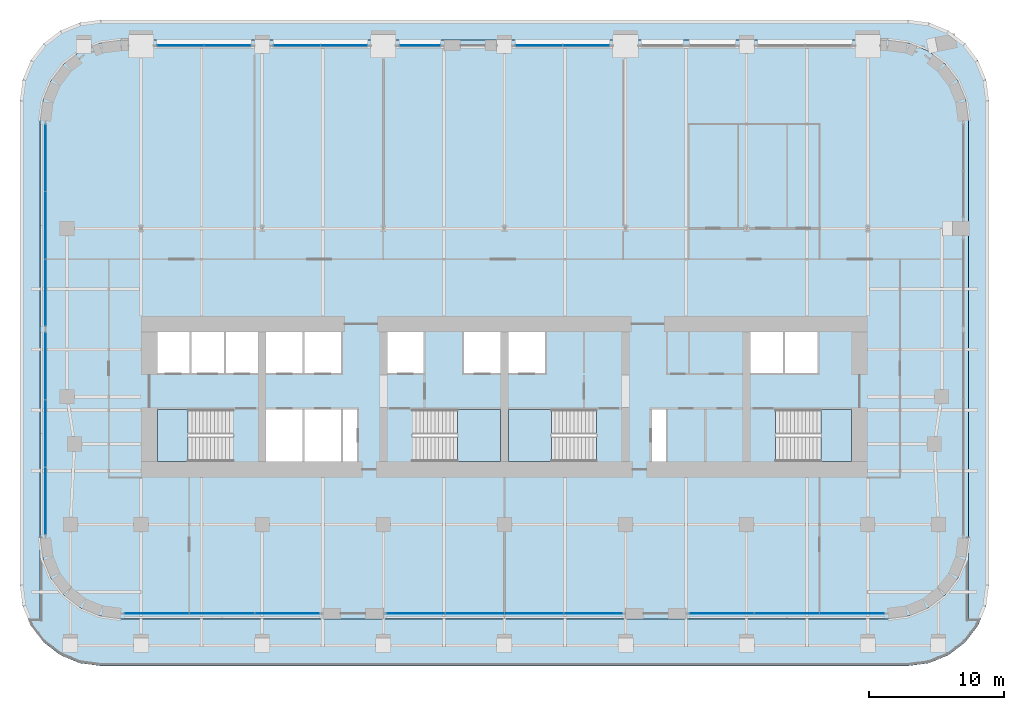
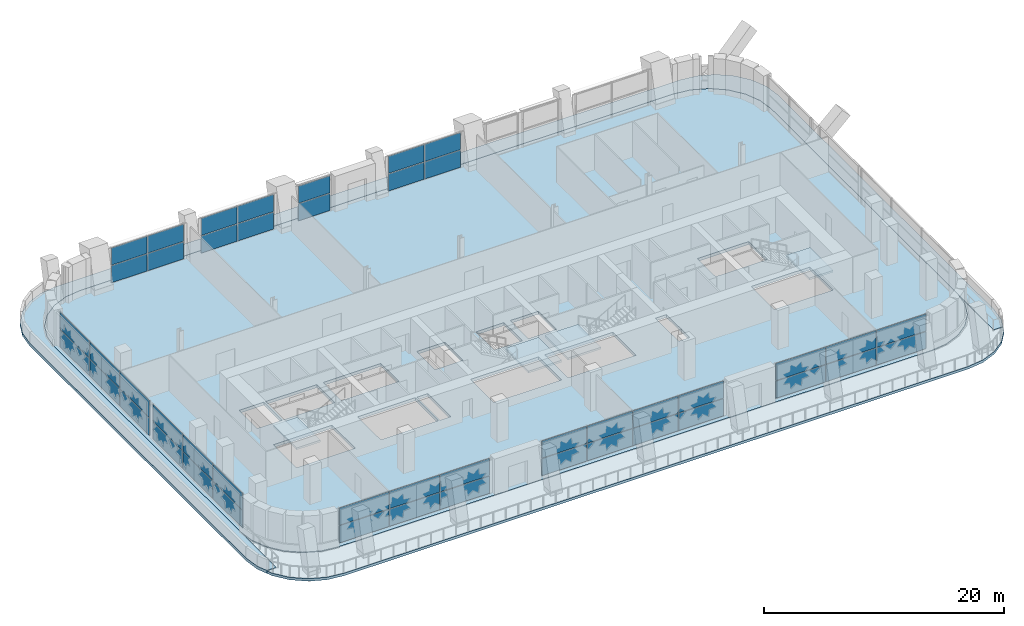
# One storey, part 13 of 26: 46 plates, 7 slabs, 13 elements without a shape of their own.
"""IFC4 building model written with IfcOpenShell, lengths in metres."""

import ifcopenshell
import ifcopenshell.guid

model = None  # the IFC model being written
_history = None  # IfcOwnerHistory: only IFC2X3 demands one
_inside = {}  # id of a spatial element -> (the spatial element, [elements in it])
_under = {}  # id of a project, library or spatial element -> (it, [spatial elements below it])
_declared = {}  # id of a project -> (the project, [libraries it declares])
_typed = {}  # id of a type object -> (the type object, [elements of that type])
_made_of = {}  # id of a material, layer set ... -> (it, [elements and type objects made of it])


def new_model(schema):
    """Start an empty IFC model of exactly this schema.

    Asked for "IFC4X3", IfcOpenShell would pick the latest addendum, in which some entities
    have other attributes; the version numbers below select the first issue.
    IFC2X3 requires an IfcOwnerHistory on every rooted entity: one is made here for all.
    """
    global model, _history
    if schema == "IFC4X3":
        model = ifcopenshell.file(schema_version=(4, 3, 0, 0))
    else:
        model = ifcopenshell.file(schema=schema)
    _inside.clear()
    _under.clear()
    _declared.clear()
    _typed.clear()
    _made_of.clear()
    _history = None
    if model.schema == "IFC2X3":
        org = make("IfcOrganization", Name="unknown")
        user = make(
            "IfcPersonAndOrganization",
            ThePerson=make("IfcPerson", FamilyName="unknown"),
            TheOrganization=org,
        )
        app = make(
            "IfcApplication",
            ApplicationDeveloper=org,
            Version="unknown",
            ApplicationFullName="unknown",
            ApplicationIdentifier="unknown",
        )
        _history = make(
            "IfcOwnerHistory",
            OwningUser=user,
            OwningApplication=app,
            ChangeAction="ADDED",
            CreationDate=0,
        )
    return model


def make(cls, **values):
    """One entity of the class cls with the attributes given. An attribute that is None is left unset."""
    return model.create_entity(
        cls, **{name: value for name, value in values.items() if value is not None}
    )


def rooted(cls, **values):
    """An entity with a GlobalId (a new one), such as an element, a storey or a relation."""
    return make(cls, GlobalId=ifcopenshell.guid.new(), OwnerHistory=_history, **values)


def si_unit(unit_type, name, prefix=None):
    """IfcSIUnit, for example si_unit("LENGTHUNIT", "METRE", prefix="MILLI")."""
    return make("IfcSIUnit", UnitType=unit_type, Prefix=prefix, Name=name)


def assignment(units):
    """IfcUnitAssignment: the units of a project."""
    return None if units is None else make("IfcUnitAssignment", Units=units)


def point(xyz):
    """IfcCartesianPoint."""
    return None if xyz is None else make("IfcCartesianPoint", Coordinates=xyz)


def direction(xyz):
    """IfcDirection."""
    return None if xyz is None else make("IfcDirection", DirectionRatios=xyz)


def frame(location, z_axis=None, x_axis=None):
    """IfcAxis2Placement3D, a coordinate frame: its origin and axes. An axis left out is left unset."""
    return make(
        "IfcAxis2Placement3D",
        Location=point(location),
        Axis=direction(z_axis),
        RefDirection=direction(x_axis),
    )


def frame_2d(location, x_axis=None):
    """IfcAxis2Placement2D, a coordinate frame in the plane: its origin and x axis."""
    return make(
        "IfcAxis2Placement2D", Location=point(location), RefDirection=direction(x_axis)
    )


def origin():
    """The frame at (0, 0, 0) with its axes left unset."""
    return frame((0.0, 0.0, 0.0))


def origin_2d():
    """The frame at (0, 0) in the plane with its x axis left unset."""
    return frame_2d((0.0, 0.0))


def place(relative_to, where):
    """IfcLocalPlacement: puts the frame where relative to a parent placement (None: the world)."""
    return make(
        "IfcLocalPlacement", PlacementRelTo=relative_to, RelativePlacement=where
    )


def context(
    kind, dimensions, precision=None, world=None, true_north=None, identifier=None
):
    """IfcGeometricRepresentationContext, for example the 3D "Model" context."""
    return make(
        "IfcGeometricRepresentationContext",
        ContextIdentifier=identifier,
        ContextType=kind,
        CoordinateSpaceDimension=dimensions,
        Precision=precision,
        WorldCoordinateSystem=world,
        TrueNorth=true_north,
    )


def subcontext(parent, identifier, kind, view, scale=None):
    """IfcGeometricRepresentationSubContext, for example "Body" below "Model"."""
    return make(
        "IfcGeometricRepresentationSubContext",
        ContextIdentifier=identifier,
        ContextType=kind,
        ParentContext=parent,
        TargetScale=scale,
        TargetView=view,
    )


def project(units=None, contexts=None):
    """IfcProject with its units and contexts."""
    return rooted(
        "IfcProject",
        Name="project",
        RepresentationContexts=contexts,
        UnitsInContext=assignment(units),
    )


def spatial(cls, under=None, at=None, **own):
    """A site, building, storey or space (cls), placed at a placement, below another one or the project."""
    s = rooted(cls, ObjectPlacement=at, **own)
    if under is not None:
        _under.setdefault(under.id(), (under, []))[1].append(s)
    return s


def polyline(points):
    """IfcPolyline through the points."""
    return make("IfcPolyline", Points=[point(p) for p in points])


def profile(cls, at=None, kind="AREA", **sizes):
    """A parametric profile (cls). Its sizes go by their IFC names, for example OverallWidth=200.0."""
    return make(cls, ProfileType=kind, Position=at, **sizes)


def rectangle(**sizes):
    """IfcRectangleProfileDef."""
    return profile("IfcRectangleProfileDef", **sizes)


def outline(outer, holes=None, kind="AREA"):
    """IfcArbitraryClosedProfileDef: a profile drawn as a closed curve; with holes, ...WithVoids."""
    if holes is None:
        return make("IfcArbitraryClosedProfileDef", ProfileType=kind, OuterCurve=outer)
    return make(
        "IfcArbitraryProfileDefWithVoids",
        ProfileType=kind,
        OuterCurve=outer,
        InnerCurves=holes,
    )


def extrude(swept, where, along, depth):
    """IfcExtrudedAreaSolid: the profile swept, set in the frame where, extruded along a direction by depth."""
    return make(
        "IfcExtrudedAreaSolid",
        SweptArea=swept,
        Position=where,
        ExtrudedDirection=direction(along),
        Depth=depth,
    )


def shape(context_of_items, identifier, shape_type, items):
    """IfcShapeRepresentation: the items that make up one representation, for example the "Body"."""
    return make(
        "IfcShapeRepresentation",
        ContextOfItems=context_of_items,
        RepresentationIdentifier=identifier,
        RepresentationType=shape_type,
        Items=items,
    )


def material(Name=None, Category=None):
    """IfcMaterial."""
    return make("IfcMaterial", Name=Name, Category=Category)


def layer(
    of_material, thickness, ventilated=None, Name=None, Category=None, Priority=None
):
    """IfcMaterialLayer: one layer of a wall or slab, of a material (None: an air gap)."""
    return make(
        "IfcMaterialLayer",
        Material=of_material,
        LayerThickness=thickness,
        IsVentilated=ventilated,
        Name=Name,
        Category=Category,
        Priority=Priority,
    )


def layer_set(layers, Name=None):
    """IfcMaterialLayerSet."""
    return make("IfcMaterialLayerSet", MaterialLayers=layers, LayerSetName=Name)


def made_of(thing, what):
    """Note that an element or type object is made of a material, layer set ...; save() writes the relation."""
    if what is not None:
        _made_of.setdefault(what.id(), (what, []))[1].append(thing)
    return thing


def type_object(cls, material=None, **own):
    """A type object (cls), such as IfcWallType, which elements share."""
    return made_of(rooted(cls, **own), material)


def element(
    cls,
    number,
    at=None,
    inside=None,
    cuts=None,
    type_object=None,
    material=None,
    context=None,
    identifier="Body",
    shape_type=None,
    held_by="IfcProductDefinitionShape",
    body=None,
    shapes=None,
    **own,
):
    """One element of the class cls, such as IfcWall. Its Tag is "e" and its number.

    at: its placement. inside: the storey or other place that contains it. cuts: it is an
    opening in that element (IfcRelVoidsElement). A single representation is given by context,
    identifier, shape_type and body (its items); several are given by shapes. held_by: the class
    of the entity that holds the representations. save() writes the other relations.
    """
    e = rooted(cls, Tag="e%d" % number, ObjectPlacement=at, **own)
    if body is not None:
        shapes = [shape(context, identifier, shape_type, body)]
    if shapes is not None:
        e.Representation = make(held_by, Representations=shapes)
    if inside is not None:
        _inside.setdefault(inside.id(), (inside, []))[1].append(e)
    if cuts is not None:
        rooted(
            "IfcRelVoidsElement", RelatingBuildingElement=cuts, RelatedOpeningElement=e
        )
    if type_object is not None:
        _typed.setdefault(type_object.id(), (type_object, []))[1].append(e)
    return made_of(e, material)


def aggregate(whole, parts):
    """IfcRelAggregates: a whole, such as a stair, and the parts it consists of."""
    return rooted("IfcRelAggregates", RelatingObject=whole, RelatedObjects=parts)


def save(model, path):
    """Write the relations noted so far, then the file.

    IfcRelAggregates (storeys below a building ...), IfcRelContainedInSpatialStructure (elements
    in a storey), IfcRelDefinesByType, IfcRelAssociatesMaterial and IfcRelDeclares: one each for
    every whole, place, type object, material and project.
    """
    for whole, parts in _under.values():
        aggregate(whole, parts)
    for where, things in _inside.values():
        rooted(
            "IfcRelContainedInSpatialStructure",
            RelatedElements=things,
            RelatingStructure=where,
        )
    for kind, things in _typed.values():
        rooted("IfcRelDefinesByType", RelatedObjects=things, RelatingType=kind)
    for what, things in _made_of.values():
        rooted("IfcRelAssociatesMaterial", RelatedObjects=things, RelatingMaterial=what)
    for by, libraries in _declared.values():
        rooted("IfcRelDeclares", RelatingContext=by, RelatedDefinitions=libraries)
    model.write(path)


model = new_model("IFC4")

# Units and contexts
model_context = context("Model", 3, precision=1e-05, world=origin(), true_north=direction((0.0, 1.0)))
body_context = subcontext(model_context, "Body", "Model", "MODEL_VIEW")
ifc_project = project(units=[si_unit("LENGTHUNIT", "METRE"), si_unit("AREAUNIT", "SQUARE_METRE"), si_unit("VOLUMEUNIT", "CUBIC_METRE"), si_unit("PLANEANGLEUNIT", "RADIAN"), si_unit("MASSUNIT", "GRAM", prefix="KILO")], contexts=[model_context])

# Site, building, storey
site_placement = place(None, origin())
site = spatial("IfcSite", under=ifc_project, at=site_placement, CompositionType="ELEMENT")
building_placement = place(site_placement, origin())
building = spatial("IfcBuilding", under=site, at=building_placement, Name="Zellij Exchange Tower", CompositionType="ELEMENT")
storey_placement = place(building_placement, frame((0.0, 0.0, 100.5)))
storey = spatial("IfcBuildingStorey", under=building, at=storey_placement, Name="L21", CompositionType="ELEMENT", Elevation=100.5)

# Stair, slab
ifc_material_1 = material(Name="Concrete C40/50", Category="concrete")
stair_type = type_object("IfcStairType", Name="CORE-ST exit stair 1850 wide", PredefinedType="HALF_TURN_STAIR", material=ifc_material_1)
stair_1_placement = place(storey_placement, origin())
stair_1 = element("IfcStair", 1, at=stair_1_placement, inside=storey, type_object=stair_type, Name="L21 exit stair ST1", PredefinedType="HALF_TURN_STAIR")
ifc_layer_1 = layer(ifc_material_1, 0.199951171875)
ifc_layer_set_1 = layer_set([ifc_layer_1], Name="Concrete C40/50")
slab_type_1 = type_object("IfcSlabType", Name="CORE-SL stair landing 200", PredefinedType="LANDING", material=ifc_layer_set_1)
slab_1_placement = place(storey_placement, frame((0.0, 0.0, 1.800048828125)))
slab_1 = element("IfcSlab", 2, at=slab_1_placement, type_object=slab_type_1, Name="ST1 landing 1", PredefinedType="LANDING", context=body_context, shape_type="SweptSolid", body=[
    extrude(outline(polyline([(-23.510009765625, -8.949951171875), (-25.800048828125, -8.949951171875), (-25.800048828125, -12.800048828125), (-23.510009765625, -12.800048828125), (-23.510009765625, -8.949951171875)])), origin(), (0.0, 0.0, 1.0), 0.199951171875),
])
aggregate(stair_1, [slab_1])

stair_2_placement = place(storey_placement, origin())
stair_2 = element("IfcStair", 3, at=stair_2_placement, inside=storey, type_object=stair_type, Name="L21 exit stair ST2", PredefinedType="HALF_TURN_STAIR")
slab_2_placement = place(storey_placement, frame((0.0, 0.0, 1.800048828125)))
slab_2 = element("IfcSlab", 4, at=slab_2_placement, type_object=slab_type_1, Name="ST2 landing 1", PredefinedType="LANDING", context=body_context, shape_type="SweptSolid", body=[
    extrude(outline(polyline([(-3.489990234375, -12.800048828125), (-0.300048828125, -12.800048828125), (-0.300048828125, -8.949951171875), (-3.489990234375, -8.949951171875), (-3.489990234375, -12.800048828125)])), origin(), (0.0, 0.0, 1.0), 0.199951171875),
])
aggregate(stair_2, [slab_2])

stair_3_placement = place(storey_placement, origin())
stair_3 = element("IfcStair", 5, at=stair_3_placement, inside=storey, type_object=stair_type, Name="L21 exit stair ST3", PredefinedType="HALF_TURN_STAIR")
slab_3_placement = place(storey_placement, frame((0.0, 0.0, 1.800048828125)))
slab_3 = element("IfcSlab", 6, at=slab_3_placement, type_object=slab_type_1, Name="ST3 landing 1", PredefinedType="LANDING", context=body_context, shape_type="SweptSolid", body=[
    extrude(outline(polyline([(3.489990234375, -8.949951171875), (0.300048828125, -8.949951171875), (0.300048828125, -12.800048828125), (3.489990234375, -12.800048828125), (3.489990234375, -8.949951171875)])), origin(), (0.0, 0.0, 1.0), 0.199951171875),
])
aggregate(stair_3, [slab_3])

stair_4_placement = place(storey_placement, origin())
stair_4 = element("IfcStair", 7, at=stair_4_placement, inside=storey, type_object=stair_type, Name="L21 exit stair ST4", PredefinedType="HALF_TURN_STAIR")
slab_4_placement = place(storey_placement, frame((0.0, 0.0, 1.800048828125)))
slab_4 = element("IfcSlab", 8, at=slab_4_placement, type_object=slab_type_1, Name="ST4 landing 1", PredefinedType="LANDING", context=body_context, shape_type="SweptSolid", body=[
    extrude(outline(polyline([(23.510009765625, -12.800048828125), (25.800048828125, -12.800048828125), (25.800048828125, -8.949951171875), (23.510009765625, -8.949951171875), (23.510009765625, -12.800048828125)])), origin(), (0.0, 0.0, 1.0), 0.199951171875),
])
aggregate(stair_4, [slab_4])

# Curtain wall, plates
ifc_material_2 = material(Name="Aluminium frame, clear insulating glass", Category="aluminium")
curtain_wall_type = type_object("IfcCurtainWallType", Name="ENV-CW6 Sky-lobby glazing", PredefinedType="NOTDEFINED", material=ifc_material_2)
curtain_wall_1_placement = place(storey_placement, origin())
curtain_wall_1 = element("IfcCurtainWall", 9, at=curtain_wall_1_placement, inside=storey, type_object=curtain_wall_type, Name="cw.L21.00a", PredefinedType="NOTDEFINED")
ifc_material_3 = material(Name="Insulating glass unit, clear", Category="glass")
ifc_layer_2 = layer(ifc_material_3, 0.035888671875)
ifc_layer_set_2 = layer_set([ifc_layer_2], Name="Insulating glass unit, clear")
plate_type = type_object("IfcPlateType", Name="ENV-CW6P Glazed panel 36", PredefinedType="CURTAIN_PANEL", material=ifc_layer_set_2)
plate_1_placement = place(storey_placement, frame((-25.829833984375, -24.10009765625, 0.06005859375), z_axis=(0.0, 0.0, 1.0), x_axis=(1.0, 0.0, 0.0)))
plate_1 = element("IfcPlate", 10, at=plate_1_placement, type_object=plate_type, Name="CW6 panel 1.1", PredefinedType="CURTAIN_PANEL", context=body_context, shape_type="SweptSolid", body=[
    extrude(rectangle(XDim=4.767822265625, YDim=0.035888671875, at=origin_2d()), origin(), (0.0, 0.0, 1.0), 1.735107421875),
])
plate_2_placement = place(storey_placement, frame((-25.829833984375, -24.10009765625, 1.85498046875), z_axis=(0.0, 0.0, 1.0), x_axis=(1.0, 0.0, 0.0)))
plate_2 = element("IfcPlate", 11, at=plate_2_placement, type_object=plate_type, Name="CW6 panel 1.2", PredefinedType="CURTAIN_PANEL", context=body_context, shape_type="SweptSolid", body=[
    extrude(rectangle(XDim=4.767822265625, YDim=0.035888671875, at=origin_2d()), origin(), (0.0, 0.0, 1.0), 1.735107421875),
])
plate_3_placement = place(storey_placement, frame((-20.98681640625, -24.10009765625, 0.06005859375), z_axis=(0.0, 0.0, 1.0), x_axis=(1.0, 0.0, 0.0)))
plate_3 = element("IfcPlate", 12, at=plate_3_placement, type_object=plate_type, Name="CW6 panel 2.1", PredefinedType="CURTAIN_PANEL", context=body_context, shape_type="SweptSolid", body=[
    extrude(rectangle(XDim=4.7978515625, YDim=0.035888671875, at=origin_2d()), origin(), (0.0, 0.0, 1.0), 1.735107421875),
])
plate_4_placement = place(storey_placement, frame((-20.98681640625, -24.10009765625, 1.85498046875), z_axis=(0.0, 0.0, 1.0), x_axis=(1.0, 0.0, 0.0)))
plate_4 = element("IfcPlate", 13, at=plate_4_placement, type_object=plate_type, Name="CW6 panel 2.2", PredefinedType="CURTAIN_PANEL", context=body_context, shape_type="SweptSolid", body=[
    extrude(rectangle(XDim=4.7978515625, YDim=0.035888671875, at=origin_2d()), origin(), (0.0, 0.0, 1.0), 1.735107421875),
])
plate_5_placement = place(storey_placement, frame((-16.14404296875, -24.10009765625, 0.06005859375), z_axis=(0.0, 0.0, 1.0), x_axis=(1.0, 0.0, 0.0)))
plate_5 = element("IfcPlate", 14, at=plate_5_placement, type_object=plate_type, Name="CW6 panel 3.1", PredefinedType="CURTAIN_PANEL", context=body_context, shape_type="SweptSolid", body=[
    extrude(rectangle(XDim=4.767822265625, YDim=0.035888671875, at=origin_2d()), origin(), (0.0, 0.0, 1.0), 1.735107421875),
])
plate_6_placement = place(storey_placement, frame((-16.14404296875, -24.10009765625, 1.85498046875), z_axis=(0.0, 0.0, 1.0), x_axis=(1.0, 0.0, 0.0)))
plate_6 = element("IfcPlate", 15, at=plate_6_placement, type_object=plate_type, Name="CW6 panel 3.2", PredefinedType="CURTAIN_PANEL", context=body_context, shape_type="SweptSolid", body=[
    extrude(rectangle(XDim=4.767822265625, YDim=0.035888671875, at=origin_2d()), origin(), (0.0, 0.0, 1.0), 1.735107421875),
])
aggregate(curtain_wall_1, [plate_1, plate_2, plate_3, plate_4, plate_5, plate_6])

curtain_wall_2_placement = place(storey_placement, origin())
curtain_wall_2 = element("IfcCurtainWall", 16, at=curtain_wall_2_placement, inside=storey, type_object=curtain_wall_type, Name="cw.L21.00c", PredefinedType="NOTDEFINED")
plate_7_placement = place(storey_placement, frame((-6.5849609375, -24.10009765625, 0.06005859375), z_axis=(0.0, 0.0, 1.0), x_axis=(1.0, 0.0, 0.0)))
plate_7 = element("IfcPlate", 17, at=plate_7_placement, type_object=plate_type, Name="CW6 panel 1.1", PredefinedType="CURTAIN_PANEL", context=body_context, shape_type="SweptSolid", body=[
    extrude(rectangle(XDim=4.31005859375, YDim=0.035888671875, at=origin_2d()), origin(), (0.0, 0.0, 1.0), 1.735107421875),
])
plate_8_placement = place(storey_placement, frame((-6.5849609375, -24.10009765625, 1.85498046875), z_axis=(0.0, 0.0, 1.0), x_axis=(1.0, 0.0, 0.0)))
plate_8 = element("IfcPlate", 18, at=plate_8_placement, type_object=plate_type, Name="CW6 panel 1.2", PredefinedType="CURTAIN_PANEL", context=body_context, shape_type="SweptSolid", body=[
    extrude(rectangle(XDim=4.31005859375, YDim=0.035888671875, at=origin_2d()), origin(), (0.0, 0.0, 1.0), 1.735107421875),
])
plate_9_placement = place(storey_placement, frame((-2.199951171875, -24.10009765625, 0.06005859375), z_axis=(0.0, 0.0, 1.0), x_axis=(1.0, 0.0, 0.0)))
plate_9 = element("IfcPlate", 19, at=plate_9_placement, type_object=plate_type, Name="CW6 panel 2.1", PredefinedType="CURTAIN_PANEL", context=body_context, shape_type="SweptSolid", body=[
    extrude(rectangle(XDim=4.340087890625, YDim=0.035888671875, at=origin_2d()), origin(), (0.0, 0.0, 1.0), 1.735107421875),
])
plate_10_placement = place(storey_placement, frame((-2.199951171875, -24.10009765625, 1.85498046875), z_axis=(0.0, 0.0, 1.0), x_axis=(1.0, 0.0, 0.0)))
plate_10 = element("IfcPlate", 20, at=plate_10_placement, type_object=plate_type, Name="CW6 panel 2.2", PredefinedType="CURTAIN_PANEL", context=body_context, shape_type="SweptSolid", body=[
    extrude(rectangle(XDim=4.340087890625, YDim=0.035888671875, at=origin_2d()), origin(), (0.0, 0.0, 1.0), 1.735107421875),
])
plate_11_placement = place(storey_placement, frame((2.199951171875, -24.10009765625, 0.06005859375), z_axis=(0.0, 0.0, 1.0), x_axis=(1.0, 0.0, 0.0)))
plate_11 = element("IfcPlate", 21, at=plate_11_placement, type_object=plate_type, Name="CW6 panel 3.1", PredefinedType="CURTAIN_PANEL", context=body_context, shape_type="SweptSolid", body=[
    extrude(rectangle(XDim=4.340087890625, YDim=0.035888671875, at=origin_2d()), origin(), (0.0, 0.0, 1.0), 1.735107421875),
])
plate_12_placement = place(storey_placement, frame((2.199951171875, -24.10009765625, 1.85498046875), z_axis=(0.0, 0.0, 1.0), x_axis=(1.0, 0.0, 0.0)))
plate_12 = element("IfcPlate", 22, at=plate_12_placement, type_object=plate_type, Name="CW6 panel 3.2", PredefinedType="CURTAIN_PANEL", context=body_context, shape_type="SweptSolid", body=[
    extrude(rectangle(XDim=4.340087890625, YDim=0.035888671875, at=origin_2d()), origin(), (0.0, 0.0, 1.0), 1.735107421875),
])
plate_13_placement = place(storey_placement, frame((6.5849609375, -24.10009765625, 0.06005859375), z_axis=(0.0, 0.0, 1.0), x_axis=(1.0, 0.0, 0.0)))
plate_13 = element("IfcPlate", 23, at=plate_13_placement, type_object=plate_type, Name="CW6 panel 4.1", PredefinedType="CURTAIN_PANEL", context=body_context, shape_type="SweptSolid", body=[
    extrude(rectangle(XDim=4.31005859375, YDim=0.035888671875, at=origin_2d()), origin(), (0.0, 0.0, 1.0), 1.735107421875),
])
plate_14_placement = place(storey_placement, frame((6.5849609375, -24.10009765625, 1.85498046875), z_axis=(0.0, 0.0, 1.0), x_axis=(1.0, 0.0, 0.0)))
plate_14 = element("IfcPlate", 24, at=plate_14_placement, type_object=plate_type, Name="CW6 panel 4.2", PredefinedType="CURTAIN_PANEL", context=body_context, shape_type="SweptSolid", body=[
    extrude(rectangle(XDim=4.31005859375, YDim=0.035888671875, at=origin_2d()), origin(), (0.0, 0.0, 1.0), 1.735107421875),
])
aggregate(curtain_wall_2, [plate_7, plate_8, plate_9, plate_10, plate_11, plate_12, plate_13, plate_14])

curtain_wall_3_placement = place(storey_placement, origin())
curtain_wall_3 = element("IfcCurtainWall", 25, at=curtain_wall_3_placement, inside=storey, type_object=curtain_wall_type, Name="cw.L21.00e", PredefinedType="NOTDEFINED")
plate_15_placement = place(storey_placement, frame((16.14404296875, -24.10009765625, 0.06005859375), z_axis=(0.0, 0.0, 1.0), x_axis=(1.0, 0.0, 0.0)))
plate_15 = element("IfcPlate", 26, at=plate_15_placement, type_object=plate_type, Name="CW6 panel 1.1", PredefinedType="CURTAIN_PANEL", context=body_context, shape_type="SweptSolid", body=[
    extrude(rectangle(XDim=4.767822265625, YDim=0.035888671875, at=origin_2d()), origin(), (0.0, 0.0, 1.0), 1.735107421875),
])
plate_16_placement = place(storey_placement, frame((16.14404296875, -24.10009765625, 1.85498046875), z_axis=(0.0, 0.0, 1.0), x_axis=(1.0, 0.0, 0.0)))
plate_16 = element("IfcPlate", 27, at=plate_16_placement, type_object=plate_type, Name="CW6 panel 1.2", PredefinedType="CURTAIN_PANEL", context=body_context, shape_type="SweptSolid", body=[
    extrude(rectangle(XDim=4.767822265625, YDim=0.035888671875, at=origin_2d()), origin(), (0.0, 0.0, 1.0), 1.735107421875),
])
plate_17_placement = place(storey_placement, frame((20.98681640625, -24.10009765625, 0.06005859375), z_axis=(0.0, 0.0, 1.0), x_axis=(1.0, 0.0, 0.0)))
plate_17 = element("IfcPlate", 28, at=plate_17_placement, type_object=plate_type, Name="CW6 panel 2.1", PredefinedType="CURTAIN_PANEL", context=body_context, shape_type="SweptSolid", body=[
    extrude(rectangle(XDim=4.7978515625, YDim=0.035888671875, at=origin_2d()), origin(), (0.0, 0.0, 1.0), 1.735107421875),
])
plate_18_placement = place(storey_placement, frame((20.98681640625, -24.10009765625, 1.85498046875), z_axis=(0.0, 0.0, 1.0), x_axis=(1.0, 0.0, 0.0)))
plate_18 = element("IfcPlate", 29, at=plate_18_placement, type_object=plate_type, Name="CW6 panel 2.2", PredefinedType="CURTAIN_PANEL", context=body_context, shape_type="SweptSolid", body=[
    extrude(rectangle(XDim=4.7978515625, YDim=0.035888671875, at=origin_2d()), origin(), (0.0, 0.0, 1.0), 1.735107421875),
])
plate_19_placement = place(storey_placement, frame((25.829833984375, -24.10009765625, 0.06005859375), z_axis=(0.0, 0.0, 1.0), x_axis=(1.0, 0.0, 0.0)))
plate_19 = element("IfcPlate", 30, at=plate_19_placement, type_object=plate_type, Name="CW6 panel 3.1", PredefinedType="CURTAIN_PANEL", context=body_context, shape_type="SweptSolid", body=[
    extrude(rectangle(XDim=4.767822265625, YDim=0.035888671875, at=origin_2d()), origin(), (0.0, 0.0, 1.0), 1.735107421875),
])
plate_20_placement = place(storey_placement, frame((25.829833984375, -24.10009765625, 1.85498046875), z_axis=(0.0, 0.0, 1.0), x_axis=(1.0, 0.0, 0.0)))
plate_20 = element("IfcPlate", 31, at=plate_20_placement, type_object=plate_type, Name="CW6 panel 3.2", PredefinedType="CURTAIN_PANEL", context=body_context, shape_type="SweptSolid", body=[
    extrude(rectangle(XDim=4.767822265625, YDim=0.035888671875, at=origin_2d()), origin(), (0.0, 0.0, 1.0), 1.735107421875),
])
aggregate(curtain_wall_3, [plate_15, plate_16, plate_17, plate_18, plate_19, plate_20])

curtain_wall_4_placement = place(storey_placement, origin())
curtain_wall_4 = element("IfcCurtainWall", 32, at=curtain_wall_4_placement, inside=storey, type_object=curtain_wall_type, Name="cw.L21.14e", PredefinedType="NOTDEFINED")
plate_21_placement = place(storey_placement, frame((6.072509765625, 18.10009765625, 0.06005859375), z_axis=(0.0, 0.0, 1.0), x_axis=(-1.0, 0.0, 0.0)))
plate_21 = element("IfcPlate", 33, at=plate_21_placement, type_object=plate_type, Name="CW6 panel 1.1", PredefinedType="CURTAIN_PANEL", context=body_context, shape_type="SweptSolid", body=[
    extrude(rectangle(XDim=3.43505859375, YDim=0.035888671875, at=origin_2d()), origin(), (0.0, 0.0, 1.0), 1.735107421875),
])
plate_22_placement = place(storey_placement, frame((6.072509765625, 18.10009765625, 1.85498046875), z_axis=(0.0, 0.0, 1.0), x_axis=(-1.0, 0.0, 0.0)))
plate_22 = element("IfcPlate", 34, at=plate_22_placement, type_object=plate_type, Name="CW6 panel 1.2", PredefinedType="CURTAIN_PANEL", context=body_context, shape_type="SweptSolid", body=[
    extrude(rectangle(XDim=3.43505859375, YDim=0.035888671875, at=origin_2d()), origin(), (0.0, 0.0, 1.0), 1.735107421875),
])
plate_23_placement = place(storey_placement, frame((2.577392578125, 18.10009765625, 0.06005859375), z_axis=(0.0, 0.0, 1.0), x_axis=(-1.0, 0.0, 0.0)))
plate_23 = element("IfcPlate", 35, at=plate_23_placement, type_object=plate_type, Name="CW6 panel 2.1", PredefinedType="CURTAIN_PANEL", context=body_context, shape_type="SweptSolid", body=[
    extrude(rectangle(XDim=3.43505859375, YDim=0.035888671875, at=origin_2d()), origin(), (0.0, 0.0, 1.0), 1.735107421875),
])
plate_24_placement = place(storey_placement, frame((2.577392578125, 18.10009765625, 1.85498046875), z_axis=(0.0, 0.0, 1.0), x_axis=(-1.0, 0.0, 0.0)))
plate_24 = element("IfcPlate", 36, at=plate_24_placement, type_object=plate_type, Name="CW6 panel 2.2", PredefinedType="CURTAIN_PANEL", context=body_context, shape_type="SweptSolid", body=[
    extrude(rectangle(XDim=3.43505859375, YDim=0.035888671875, at=origin_2d()), origin(), (0.0, 0.0, 1.0), 1.735107421875),
])
aggregate(curtain_wall_4, [plate_21, plate_22, plate_23, plate_24])

curtain_wall_5_placement = place(storey_placement, origin())
curtain_wall_5 = element("IfcCurtainWall", 37, at=curtain_wall_5_placement, inside=storey, type_object=curtain_wall_type, Name="cw.L21.14g", PredefinedType="NOTDEFINED")
plate_25_placement = place(storey_placement, frame((-6.27490234375, 18.10009765625, 0.06005859375), z_axis=(0.0, 0.0, 1.0), x_axis=(-1.0, 0.0, 0.0)))
plate_25 = element("IfcPlate", 38, at=plate_25_placement, type_object=plate_type, Name="CW6 panel 1.1", PredefinedType="CURTAIN_PANEL", context=body_context, shape_type="SweptSolid", body=[
    extrude(rectangle(XDim=3.030029296875, YDim=0.035888671875, at=origin_2d()), origin(), (0.0, 0.0, 1.0), 1.735107421875),
])
plate_26_placement = place(storey_placement, frame((-6.27490234375, 18.10009765625, 1.85498046875), z_axis=(0.0, 0.0, 1.0), x_axis=(-1.0, 0.0, 0.0)))
plate_26 = element("IfcPlate", 39, at=plate_26_placement, type_object=plate_type, Name="CW6 panel 1.2", PredefinedType="CURTAIN_PANEL", context=body_context, shape_type="SweptSolid", body=[
    extrude(rectangle(XDim=3.030029296875, YDim=0.035888671875, at=origin_2d()), origin(), (0.0, 0.0, 1.0), 1.735107421875),
])
aggregate(curtain_wall_5, [plate_25, plate_26])

curtain_wall_6_placement = place(storey_placement, origin())
curtain_wall_6 = element("IfcCurtainWall", 40, at=curtain_wall_6_placement, inside=storey, type_object=curtain_wall_type, Name="cw.L21.14h", PredefinedType="NOTDEFINED")
plate_27_placement = place(storey_placement, frame((-11.927490234375, 18.10009765625, 0.06005859375), z_axis=(0.0, 0.0, 1.0), x_axis=(-1.0, 0.0, 0.0)))
plate_27 = element("IfcPlate", 41, at=plate_27_placement, type_object=plate_type, Name="CW6 panel 1.1", PredefinedType="CURTAIN_PANEL", context=body_context, shape_type="SweptSolid", body=[
    extrude(rectangle(XDim=3.43505859375, YDim=0.035888671875, at=origin_2d()), origin(), (0.0, 0.0, 1.0), 1.735107421875),
])
plate_28_placement = place(storey_placement, frame((-11.927490234375, 18.10009765625, 1.85498046875), z_axis=(0.0, 0.0, 1.0), x_axis=(-1.0, 0.0, 0.0)))
plate_28 = element("IfcPlate", 42, at=plate_28_placement, type_object=plate_type, Name="CW6 panel 1.2", PredefinedType="CURTAIN_PANEL", context=body_context, shape_type="SweptSolid", body=[
    extrude(rectangle(XDim=3.43505859375, YDim=0.035888671875, at=origin_2d()), origin(), (0.0, 0.0, 1.0), 1.735107421875),
])
plate_29_placement = place(storey_placement, frame((-15.422607421875, 18.10009765625, 0.06005859375), z_axis=(0.0, 0.0, 1.0), x_axis=(-1.0, 0.0, 0.0)))
plate_29 = element("IfcPlate", 43, at=plate_29_placement, type_object=plate_type, Name="CW6 panel 2.1", PredefinedType="CURTAIN_PANEL", context=body_context, shape_type="SweptSolid", body=[
    extrude(rectangle(XDim=3.43505859375, YDim=0.035888671875, at=origin_2d()), origin(), (0.0, 0.0, 1.0), 1.735107421875),
])
plate_30_placement = place(storey_placement, frame((-15.422607421875, 18.10009765625, 1.85498046875), z_axis=(0.0, 0.0, 1.0), x_axis=(-1.0, 0.0, 0.0)))
plate_30 = element("IfcPlate", 44, at=plate_30_placement, type_object=plate_type, Name="CW6 panel 2.2", PredefinedType="CURTAIN_PANEL", context=body_context, shape_type="SweptSolid", body=[
    extrude(rectangle(XDim=3.43505859375, YDim=0.035888671875, at=origin_2d()), origin(), (0.0, 0.0, 1.0), 1.735107421875),
])
aggregate(curtain_wall_6, [plate_27, plate_28, plate_29, plate_30])

curtain_wall_7_placement = place(storey_placement, origin())
curtain_wall_7 = element("IfcCurtainWall", 45, at=curtain_wall_7_placement, inside=storey, type_object=curtain_wall_type, Name="cw.L21.14i", PredefinedType="NOTDEFINED")
plate_31_placement = place(storey_placement, frame((-20.577392578125, 18.10009765625, 0.06005859375), z_axis=(0.0, 0.0, 1.0), x_axis=(-1.0, 0.0, 0.0)))
plate_31 = element("IfcPlate", 46, at=plate_31_placement, type_object=plate_type, Name="CW6 panel 1.1", PredefinedType="CURTAIN_PANEL", context=body_context, shape_type="SweptSolid", body=[
    extrude(rectangle(XDim=3.43505859375, YDim=0.035888671875, at=origin_2d()), origin(), (0.0, 0.0, 1.0), 1.735107421875),
])
plate_32_placement = place(storey_placement, frame((-20.577392578125, 18.10009765625, 1.85498046875), z_axis=(0.0, 0.0, 1.0), x_axis=(-1.0, 0.0, 0.0)))
plate_32 = element("IfcPlate", 47, at=plate_32_placement, type_object=plate_type, Name="CW6 panel 1.2", PredefinedType="CURTAIN_PANEL", context=body_context, shape_type="SweptSolid", body=[
    extrude(rectangle(XDim=3.43505859375, YDim=0.035888671875, at=origin_2d()), origin(), (0.0, 0.0, 1.0), 1.735107421875),
])
plate_33_placement = place(storey_placement, frame((-24.072509765625, 18.10009765625, 0.06005859375), z_axis=(0.0, 0.0, 1.0), x_axis=(-1.0, 0.0, 0.0)))
plate_33 = element("IfcPlate", 48, at=plate_33_placement, type_object=plate_type, Name="CW6 panel 2.1", PredefinedType="CURTAIN_PANEL", context=body_context, shape_type="SweptSolid", body=[
    extrude(rectangle(XDim=3.43505859375, YDim=0.035888671875, at=origin_2d()), origin(), (0.0, 0.0, 1.0), 1.735107421875),
])
plate_34_placement = place(storey_placement, frame((-24.072509765625, 18.10009765625, 1.85498046875), z_axis=(0.0, 0.0, 1.0), x_axis=(-1.0, 0.0, 0.0)))
plate_34 = element("IfcPlate", 49, at=plate_34_placement, type_object=plate_type, Name="CW6 panel 2.2", PredefinedType="CURTAIN_PANEL", context=body_context, shape_type="SweptSolid", body=[
    extrude(rectangle(XDim=3.43505859375, YDim=0.035888671875, at=origin_2d()), origin(), (0.0, 0.0, 1.0), 1.735107421875),
])
aggregate(curtain_wall_7, [plate_31, plate_32, plate_33, plate_34])

curtain_wall_8_placement = place(storey_placement, origin())
curtain_wall_8 = element("IfcCurtainWall", 50, at=curtain_wall_8_placement, inside=storey, type_object=curtain_wall_type, Name="cw.L21.21a", PredefinedType="NOTDEFINED")
plate_35_placement = place(storey_placement, frame((-34.10009765625, 9.74658203125, 0.06005859375), z_axis=(0.0, 0.0, 1.0), x_axis=(0.0, -1.0, 0.0)))
plate_35 = element("IfcPlate", 51, at=plate_35_placement, type_object=plate_type, Name="CW6 panel 1.1", PredefinedType="CURTAIN_PANEL", context=body_context, shape_type="SweptSolid", body=[
    extrude(rectangle(XDim=4.9345703125, YDim=0.035888671875, at=origin_2d()), origin(), (0.0, 0.0, 1.0), 1.735107421875),
])
plate_36_placement = place(storey_placement, frame((-34.10009765625, 9.74658203125, 1.85498046875), z_axis=(0.0, 0.0, 1.0), x_axis=(0.0, -1.0, 0.0)))
plate_36 = element("IfcPlate", 52, at=plate_36_placement, type_object=plate_type, Name="CW6 panel 1.2", PredefinedType="CURTAIN_PANEL", context=body_context, shape_type="SweptSolid", body=[
    extrude(rectangle(XDim=4.9345703125, YDim=0.035888671875, at=origin_2d()), origin(), (0.0, 0.0, 1.0), 1.735107421875),
])
plate_37_placement = place(storey_placement, frame((-34.10009765625, 4.73681640625, 0.06005859375), z_axis=(0.0, 0.0, 1.0), x_axis=(0.0, -1.0, 0.0)))
plate_37 = element("IfcPlate", 53, at=plate_37_placement, type_object=plate_type, Name="CW6 panel 2.1", PredefinedType="CURTAIN_PANEL", context=body_context, shape_type="SweptSolid", body=[
    extrude(rectangle(XDim=4.964599609375, YDim=0.035888671875, at=origin_2d()), origin(), (0.0, 0.0, 1.0), 1.735107421875),
])
plate_38_placement = place(storey_placement, frame((-34.10009765625, 4.73681640625, 1.85498046875), z_axis=(0.0, 0.0, 1.0), x_axis=(0.0, -1.0, 0.0)))
plate_38 = element("IfcPlate", 54, at=plate_38_placement, type_object=plate_type, Name="CW6 panel 2.2", PredefinedType="CURTAIN_PANEL", context=body_context, shape_type="SweptSolid", body=[
    extrude(rectangle(XDim=4.964599609375, YDim=0.035888671875, at=origin_2d()), origin(), (0.0, 0.0, 1.0), 1.735107421875),
])
plate_39_placement = place(storey_placement, frame((-34.10009765625, -0.272705078125, 0.06005859375), z_axis=(0.0, 0.0, 1.0), x_axis=(0.0, -1.0, 0.0)))
plate_39 = element("IfcPlate", 55, at=plate_39_placement, type_object=plate_type, Name="CW6 panel 3.1", PredefinedType="CURTAIN_PANEL", context=body_context, shape_type="SweptSolid", body=[
    extrude(rectangle(XDim=4.9345703125, YDim=0.035888671875, at=origin_2d()), origin(), (0.0, 0.0, 1.0), 1.735107421875),
])
plate_40_placement = place(storey_placement, frame((-34.10009765625, -0.272705078125, 1.85498046875), z_axis=(0.0, 0.0, 1.0), x_axis=(0.0, -1.0, 0.0)))
plate_40 = element("IfcPlate", 56, at=plate_40_placement, type_object=plate_type, Name="CW6 panel 3.2", PredefinedType="CURTAIN_PANEL", context=body_context, shape_type="SweptSolid", body=[
    extrude(rectangle(XDim=4.9345703125, YDim=0.035888671875, at=origin_2d()), origin(), (0.0, 0.0, 1.0), 1.735107421875),
])
aggregate(curtain_wall_8, [plate_35, plate_36, plate_37, plate_38, plate_39, plate_40])

curtain_wall_9_placement = place(storey_placement, origin())
curtain_wall_9 = element("IfcCurtainWall", 57, at=curtain_wall_9_placement, inside=storey, type_object=curtain_wall_type, Name="cw.L21.21b", PredefinedType="NOTDEFINED")
plate_41_placement = place(storey_placement, frame((-34.10009765625, -5.727294921875, 0.06005859375), z_axis=(0.0, 0.0, 1.0), x_axis=(0.0, -1.0, 0.0)))
plate_41 = element("IfcPlate", 58, at=plate_41_placement, type_object=plate_type, Name="CW6 panel 1.1", PredefinedType="CURTAIN_PANEL", context=body_context, shape_type="SweptSolid", body=[
    extrude(rectangle(XDim=4.9345703125, YDim=0.035888671875, at=origin_2d()), origin(), (0.0, 0.0, 1.0), 1.735107421875),
])
plate_42_placement = place(storey_placement, frame((-34.10009765625, -5.727294921875, 1.85498046875), z_axis=(0.0, 0.0, 1.0), x_axis=(0.0, -1.0, 0.0)))
plate_42 = element("IfcPlate", 59, at=plate_42_placement, type_object=plate_type, Name="CW6 panel 1.2", PredefinedType="CURTAIN_PANEL", context=body_context, shape_type="SweptSolid", body=[
    extrude(rectangle(XDim=4.9345703125, YDim=0.035888671875, at=origin_2d()), origin(), (0.0, 0.0, 1.0), 1.735107421875),
])
plate_43_placement = place(storey_placement, frame((-34.10009765625, -10.73681640625, 0.06005859375), z_axis=(0.0, 0.0, 1.0), x_axis=(0.0, -1.0, 0.0)))
plate_43 = element("IfcPlate", 60, at=plate_43_placement, type_object=plate_type, Name="CW6 panel 2.1", PredefinedType="CURTAIN_PANEL", context=body_context, shape_type="SweptSolid", body=[
    extrude(rectangle(XDim=4.964599609375, YDim=0.035888671875, at=origin_2d()), origin(), (0.0, 0.0, 1.0), 1.735107421875),
])
plate_44_placement = place(storey_placement, frame((-34.10009765625, -10.73681640625, 1.85498046875), z_axis=(0.0, 0.0, 1.0), x_axis=(0.0, -1.0, 0.0)))
plate_44 = element("IfcPlate", 61, at=plate_44_placement, type_object=plate_type, Name="CW6 panel 2.2", PredefinedType="CURTAIN_PANEL", context=body_context, shape_type="SweptSolid", body=[
    extrude(rectangle(XDim=4.964599609375, YDim=0.035888671875, at=origin_2d()), origin(), (0.0, 0.0, 1.0), 1.735107421875),
])
plate_45_placement = place(storey_placement, frame((-34.10009765625, -15.74658203125, 0.06005859375), z_axis=(0.0, 0.0, 1.0), x_axis=(0.0, -1.0, 0.0)))
plate_45 = element("IfcPlate", 62, at=plate_45_placement, type_object=plate_type, Name="CW6 panel 3.1", PredefinedType="CURTAIN_PANEL", context=body_context, shape_type="SweptSolid", body=[
    extrude(rectangle(XDim=4.9345703125, YDim=0.035888671875, at=origin_2d()), origin(), (0.0, 0.0, 1.0), 1.735107421875),
])
plate_46_placement = place(storey_placement, frame((-34.10009765625, -15.74658203125, 1.85498046875), z_axis=(0.0, 0.0, 1.0), x_axis=(0.0, -1.0, 0.0)))
plate_46 = element("IfcPlate", 63, at=plate_46_placement, type_object=plate_type, Name="CW6 panel 3.2", PredefinedType="CURTAIN_PANEL", context=body_context, shape_type="SweptSolid", body=[
    extrude(rectangle(XDim=4.9345703125, YDim=0.035888671875, at=origin_2d()), origin(), (0.0, 0.0, 1.0), 1.735107421875),
])
aggregate(curtain_wall_9, [plate_41, plate_42, plate_43, plate_44, plate_45, plate_46])

# Slabs
ifc_layer_3 = layer(ifc_material_1, 0.300048828125)
ifc_layer_set_3 = layer_set([ifc_layer_3], Name="Concrete C40/50")
slab_type_2 = type_object("IfcSlabType", Name="ENV-LEDGE SLAB 300 C40/50", PredefinedType="ROOF", material=ifc_layer_set_3)
slab_5_placement = place(storey_placement, frame((0.0, 0.0, -0.300048828125)))
element("IfcSlab", 64, at=slab_5_placement, inside=storey, type_object=slab_type_2, Name="Ledge slab L21", PredefinedType="ROOF", context=body_context, shape_type="SweptSolid", body=[
    extrude(outline(polyline([(-36.0, -22.0), (-35.795654296875, -23.552978515625), (-35.4033203125, -24.5), (-34.5, -24.5), (-34.5, 12.5), (-34.295654296875, 14.052978515625), (-33.6962890625, 15.5), (-32.74267578125, 16.74267578125), (-31.5, 17.6962890625), (-30.052978515625, 18.295654296875), (-28.5, 18.5), (28.5, 18.5), (30.052978515625, 18.295654296875), (31.5, 17.6962890625), (32.74267578125, 16.74267578125), (33.6962890625, 15.5), (34.295654296875, 14.052978515625), (34.5, 12.5), (34.5, -24.5), (35.4033203125, -24.5), (35.795654296875, -23.552978515625), (36.0, -22.0), (36.0, 14.0), (35.795654296875, 15.552978515625), (35.1962890625, 17.0), (34.24267578125, 18.24267578125), (33.0, 19.1962890625), (31.552978515625, 19.795654296875), (30.0, 20.0), (-30.0, 20.0), (-31.552978515625, 19.795654296875), (-33.0, 19.1962890625), (-34.24267578125, 18.24267578125), (-35.1962890625, 17.0), (-35.795654296875, 15.552978515625), (-36.0, 14.0), (-36.0, -22.0)])), origin(), (0.0, 0.0, 1.0), 0.300048828125),
])
ifc_layer_4 = layer(ifc_material_1, 0.300048828125)
ifc_layer_set_4 = layer_set([ifc_layer_4], Name="Concrete C40/50")
slab_type_3 = type_object("IfcSlabType", Name="ENV-TERRACE SLAB 300 C40/50", PredefinedType="FLOOR", material=ifc_layer_set_4)
slab_6_placement = place(storey_placement, frame((0.0, 0.0, -0.300048828125)))
element("IfcSlab", 65, at=slab_6_placement, inside=storey, type_object=slab_type_3, Name="Terrace slab L21", PredefinedType="FLOOR", context=body_context, shape_type="SweptSolid", body=[
    extrude(outline(polyline([(-34.24267578125, -26.24267578125), (-33.0, -27.1962890625), (-31.552978515625, -27.795654296875), (-30.0, -28.0), (30.0, -28.0), (31.552978515625, -27.795654296875), (33.0, -27.1962890625), (34.24267578125, -26.24267578125), (35.1962890625, -25.0), (35.4033203125, -24.5), (34.5, -24.5), (34.5, -18.5), (34.295654296875, -20.052978515625), (33.6962890625, -21.5), (32.74267578125, -22.74267578125), (31.5, -23.6962890625), (30.052978515625, -24.295654296875), (28.5, -24.5), (-28.5, -24.5), (-30.052978515625, -24.295654296875), (-31.5, -23.6962890625), (-32.74267578125, -22.74267578125), (-33.6962890625, -21.5), (-34.295654296875, -20.052978515625), (-34.5, -18.5), (-34.5, -24.5), (-35.4033203125, -24.5), (-35.1962890625, -25.0), (-34.24267578125, -26.24267578125)])), origin(), (0.0, 0.0, 1.0), 0.260009765625),
])
ifc_layer_5 = layer(ifc_material_1, 0.300048828125)
ifc_layer_set_5 = layer_set([ifc_layer_5], Name="Concrete C40/50")
slab_type_4 = type_object("IfcSlabType", Name="STR-FLOOR SLAB 300 C40/50", PredefinedType="FLOOR", material=ifc_layer_set_5)
slab_7_placement = place(storey_placement, frame((0.0, 0.0, -0.300048828125)))
element("IfcSlab", 66, at=slab_7_placement, inside=storey, type_object=slab_type_4, Name="Floor L21", PredefinedType="FLOOR", context=body_context, shape_type="SweptSolid", body=[
    extrude(outline(polyline([(-28.5, -24.5), (-30.052978515625, -24.295654296875), (-31.5, -23.6962890625), (-32.74267578125, -22.74267578125), (-33.6962890625, -21.5), (-34.295654296875, -20.052978515625), (-34.5, -18.5), (-34.5, 12.5), (-34.295654296875, 14.052978515625), (-33.6962890625, 15.5), (-32.74267578125, 16.74267578125), (-31.5, 17.6962890625), (-30.052978515625, 18.295654296875), (-28.5, 18.5), (28.5, 18.5), (30.052978515625, 18.295654296875), (31.5, 17.6962890625), (32.74267578125, 16.74267578125), (33.6962890625, 15.5), (34.295654296875, 14.052978515625), (34.5, 12.5), (34.5, -18.5), (34.295654296875, -20.052978515625), (33.6962890625, -21.5), (32.74267578125, -22.74267578125), (31.5, -23.6962890625), (30.052978515625, -24.295654296875), (28.5, -24.5), (-28.5, -24.5)]), holes=[polyline([(-25.800048828125, -8.949951171875), (-25.800048828125, -12.800048828125), (-20.153076171875, -12.800048828125), (-20.153076171875, -8.949951171875), (-25.800048828125, -8.949951171875)]), polyline([(-12.14990234375, -8.949951171875), (-17.699951171875, -8.949951171875), (-17.699951171875, -12.800048828125), (-12.14990234375, -12.800048828125), (-12.14990234375, -8.949951171875)]), polyline([(-10.949951171875, -8.949951171875), (-12.0, -8.949951171875), (-12.0, -12.800048828125), (-10.949951171875, -12.800048828125), (-10.949951171875, -8.949951171875)]), polyline([(-23.39990234375, -3.199951171875), (-25.800048828125, -3.199951171875), (-25.800048828125, -6.22509765625), (-23.39990234375, -6.22509765625), (-23.39990234375, -3.199951171875)]), polyline([(-18.300048828125, -3.199951171875), (-23.25, -3.199951171875), (-23.25, -6.22509765625), (-18.300048828125, -6.22509765625), (-18.300048828125, -3.199951171875)]), polyline([(-12.14990234375, -3.199951171875), (-17.699951171875, -3.199951171875), (-17.699951171875, -6.22509765625), (-12.14990234375, -6.22509765625), (-12.14990234375, -3.199951171875)]), polyline([(-6.0, -3.199951171875), (-8.699951171875, -3.199951171875), (-8.699951171875, -6.22509765625), (-6.0, -6.22509765625), (-6.0, -3.199951171875)]), polyline([(-6.846923828125, -8.949951171875), (-6.846923828125, -12.800048828125), (-0.300048828125, -12.800048828125), (-0.300048828125, -8.949951171875), (-6.846923828125, -8.949951171875)]), polyline([(6.846923828125, -8.949951171875), (0.300048828125, -8.949951171875), (0.300048828125, -12.800048828125), (6.846923828125, -12.800048828125), (6.846923828125, -8.949951171875)]), polyline([(12.0, -8.949951171875), (10.949951171875, -8.949951171875), (10.949951171875, -12.800048828125), (12.0, -12.800048828125), (12.0, -8.949951171875)]), polyline([(25.800048828125, -8.949951171875), (20.153076171875, -8.949951171875), (20.153076171875, -12.800048828125), (25.800048828125, -12.800048828125), (25.800048828125, -8.949951171875)]), polyline([(-0.300048828125, -3.199951171875), (-3.0, -3.199951171875), (-3.0, -6.22509765625), (-0.300048828125, -6.22509765625), (-0.300048828125, -3.199951171875)]), polyline([(3.0, -3.199951171875), (0.300048828125, -3.199951171875), (0.300048828125, -6.22509765625), (3.0, -6.22509765625), (3.0, -3.199951171875)]), polyline([(23.25, -3.199951171875), (18.300048828125, -3.199951171875), (18.300048828125, -6.22509765625), (23.25, -6.22509765625), (23.25, -3.199951171875)])]), origin(), (0.0, 0.0, 1.0), 0.300048828125),
])

save(model, "model.ifc")
